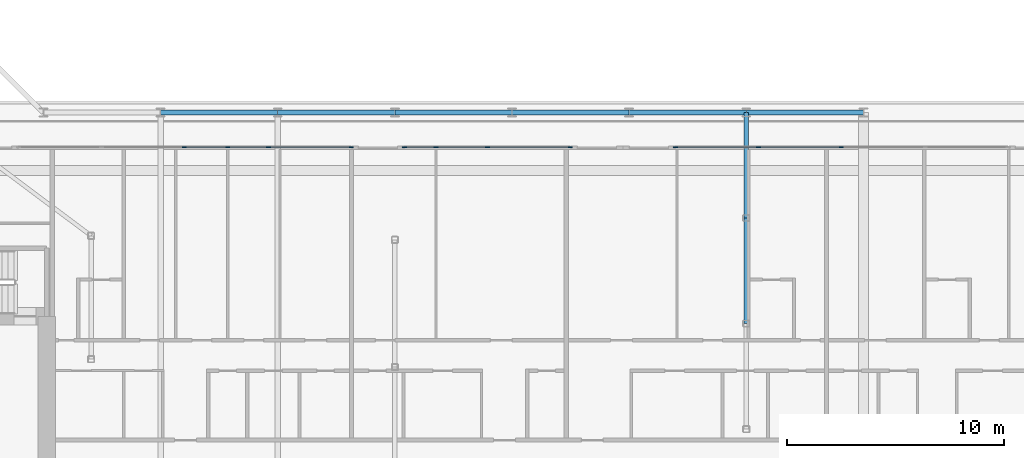
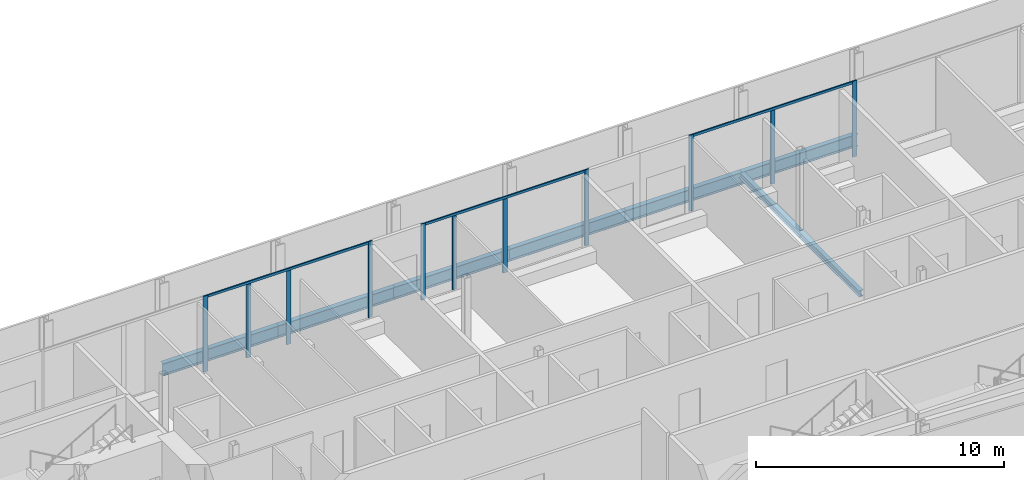
# One storey, part 8 of 30: 14 members, 8 beams, 4 elements without a shape of their own.
"""IFC4 building model written with IfcOpenShell, lengths in metres."""

import ifcopenshell
import ifcopenshell.guid

model = None  # the IFC model being written
_history = None  # IfcOwnerHistory: only IFC2X3 demands one
_inside = {}  # id of a spatial element -> (the spatial element, [elements in it])
_under = {}  # id of a project, library or spatial element -> (it, [spatial elements below it])
_declared = {}  # id of a project -> (the project, [libraries it declares])
_typed = {}  # id of a type object -> (the type object, [elements of that type])
_made_of = {}  # id of a material, layer set ... -> (it, [elements and type objects made of it])


def new_model(schema):
    """Start an empty IFC model of exactly this schema.

    Asked for "IFC4X3", IfcOpenShell would pick the latest addendum, in which some entities
    have other attributes; the version numbers below select the first issue.
    IFC2X3 requires an IfcOwnerHistory on every rooted entity: one is made here for all.
    """
    global model, _history
    if schema == "IFC4X3":
        model = ifcopenshell.file(schema_version=(4, 3, 0, 0))
    else:
        model = ifcopenshell.file(schema=schema)
    _inside.clear()
    _under.clear()
    _declared.clear()
    _typed.clear()
    _made_of.clear()
    _history = None
    if model.schema == "IFC2X3":
        org = make("IfcOrganization", Name="unknown")
        user = make(
            "IfcPersonAndOrganization",
            ThePerson=make("IfcPerson", FamilyName="unknown"),
            TheOrganization=org,
        )
        app = make(
            "IfcApplication",
            ApplicationDeveloper=org,
            Version="unknown",
            ApplicationFullName="unknown",
            ApplicationIdentifier="unknown",
        )
        _history = make(
            "IfcOwnerHistory",
            OwningUser=user,
            OwningApplication=app,
            ChangeAction="ADDED",
            CreationDate=0,
        )
    return model


def make(cls, **values):
    """One entity of the class cls with the attributes given. An attribute that is None is left unset."""
    return model.create_entity(
        cls, **{name: value for name, value in values.items() if value is not None}
    )


def rooted(cls, **values):
    """An entity with a GlobalId (a new one), such as an element, a storey or a relation."""
    return make(cls, GlobalId=ifcopenshell.guid.new(), OwnerHistory=_history, **values)


def si_unit(unit_type, name, prefix=None):
    """IfcSIUnit, for example si_unit("LENGTHUNIT", "METRE", prefix="MILLI")."""
    return make("IfcSIUnit", UnitType=unit_type, Prefix=prefix, Name=name)


def assignment(units):
    """IfcUnitAssignment: the units of a project."""
    return None if units is None else make("IfcUnitAssignment", Units=units)


def point(xyz):
    """IfcCartesianPoint."""
    return None if xyz is None else make("IfcCartesianPoint", Coordinates=xyz)


def direction(xyz):
    """IfcDirection."""
    return None if xyz is None else make("IfcDirection", DirectionRatios=xyz)


def frame(location, z_axis=None, x_axis=None):
    """IfcAxis2Placement3D, a coordinate frame: its origin and axes. An axis left out is left unset."""
    return make(
        "IfcAxis2Placement3D",
        Location=point(location),
        Axis=direction(z_axis),
        RefDirection=direction(x_axis),
    )


def frame_2d(location, x_axis=None):
    """IfcAxis2Placement2D, a coordinate frame in the plane: its origin and x axis."""
    return make(
        "IfcAxis2Placement2D", Location=point(location), RefDirection=direction(x_axis)
    )


def origin():
    """The frame at (0, 0, 0) with its axes left unset."""
    return frame((0.0, 0.0, 0.0))


def origin_2d():
    """The frame at (0, 0) in the plane with its x axis left unset."""
    return frame_2d((0.0, 0.0))


def place(relative_to, where):
    """IfcLocalPlacement: puts the frame where relative to a parent placement (None: the world)."""
    return make(
        "IfcLocalPlacement", PlacementRelTo=relative_to, RelativePlacement=where
    )


def context(
    kind, dimensions, precision=None, world=None, true_north=None, identifier=None
):
    """IfcGeometricRepresentationContext, for example the 3D "Model" context."""
    return make(
        "IfcGeometricRepresentationContext",
        ContextIdentifier=identifier,
        ContextType=kind,
        CoordinateSpaceDimension=dimensions,
        Precision=precision,
        WorldCoordinateSystem=world,
        TrueNorth=true_north,
    )


def subcontext(parent, identifier, kind, view, scale=None):
    """IfcGeometricRepresentationSubContext, for example "Body" below "Model"."""
    return make(
        "IfcGeometricRepresentationSubContext",
        ContextIdentifier=identifier,
        ContextType=kind,
        ParentContext=parent,
        TargetScale=scale,
        TargetView=view,
    )


def project(units=None, contexts=None):
    """IfcProject with its units and contexts."""
    return rooted(
        "IfcProject",
        Name="project",
        RepresentationContexts=contexts,
        UnitsInContext=assignment(units),
    )


def spatial(cls, under=None, at=None, **own):
    """A site, building, storey or space (cls), placed at a placement, below another one or the project."""
    s = rooted(cls, ObjectPlacement=at, **own)
    if under is not None:
        _under.setdefault(under.id(), (under, []))[1].append(s)
    return s


def profile(cls, at=None, kind="AREA", **sizes):
    """A parametric profile (cls). Its sizes go by their IFC names, for example OverallWidth=200.0."""
    return make(cls, ProfileType=kind, Position=at, **sizes)


def rectangle(**sizes):
    """IfcRectangleProfileDef."""
    return profile("IfcRectangleProfileDef", **sizes)


def i_section(**sizes):
    """IfcIShapeProfileDef."""
    return profile("IfcIShapeProfileDef", **sizes)


def extrude(swept, where, along, depth):
    """IfcExtrudedAreaSolid: the profile swept, set in the frame where, extruded along a direction by depth."""
    return make(
        "IfcExtrudedAreaSolid",
        SweptArea=swept,
        Position=where,
        ExtrudedDirection=direction(along),
        Depth=depth,
    )


def shape(context_of_items, identifier, shape_type, items):
    """IfcShapeRepresentation: the items that make up one representation, for example the "Body"."""
    return make(
        "IfcShapeRepresentation",
        ContextOfItems=context_of_items,
        RepresentationIdentifier=identifier,
        RepresentationType=shape_type,
        Items=items,
    )


def material(Name=None, Category=None):
    """IfcMaterial."""
    return make("IfcMaterial", Name=Name, Category=Category)


def layer(
    of_material, thickness, ventilated=None, Name=None, Category=None, Priority=None
):
    """IfcMaterialLayer: one layer of a wall or slab, of a material (None: an air gap)."""
    return make(
        "IfcMaterialLayer",
        Material=of_material,
        LayerThickness=thickness,
        IsVentilated=ventilated,
        Name=Name,
        Category=Category,
        Priority=Priority,
    )


def layer_set(layers, Name=None):
    """IfcMaterialLayerSet."""
    return make("IfcMaterialLayerSet", MaterialLayers=layers, LayerSetName=Name)


def material_profile(
    of_material, cross_section, Name=None, Category=None, Priority=None
):
    """IfcMaterialProfile: a cross section and its material."""
    return make(
        "IfcMaterialProfile",
        Name=Name,
        Material=of_material,
        Profile=cross_section,
        Priority=Priority,
        Category=Category,
    )


def profile_set(profiles, Name=None, composite=None):
    """IfcMaterialProfileSet."""
    return make(
        "IfcMaterialProfileSet",
        Name=Name,
        MaterialProfiles=profiles,
        CompositeProfile=composite,
    )


def made_of(thing, what):
    """Note that an element or type object is made of a material, layer set ...; save() writes the relation."""
    if what is not None:
        _made_of.setdefault(what.id(), (what, []))[1].append(thing)
    return thing


def type_object(cls, material=None, **own):
    """A type object (cls), such as IfcWallType, which elements share."""
    return made_of(rooted(cls, **own), material)


def element(
    cls,
    number,
    at=None,
    inside=None,
    cuts=None,
    type_object=None,
    material=None,
    context=None,
    identifier="Body",
    shape_type=None,
    held_by="IfcProductDefinitionShape",
    body=None,
    shapes=None,
    **own,
):
    """One element of the class cls, such as IfcWall. Its Tag is "e" and its number.

    at: its placement. inside: the storey or other place that contains it. cuts: it is an
    opening in that element (IfcRelVoidsElement). A single representation is given by context,
    identifier, shape_type and body (its items); several are given by shapes. held_by: the class
    of the entity that holds the representations. save() writes the other relations.
    """
    e = rooted(cls, Tag="e%d" % number, ObjectPlacement=at, **own)
    if body is not None:
        shapes = [shape(context, identifier, shape_type, body)]
    if shapes is not None:
        e.Representation = make(held_by, Representations=shapes)
    if inside is not None:
        _inside.setdefault(inside.id(), (inside, []))[1].append(e)
    if cuts is not None:
        rooted(
            "IfcRelVoidsElement", RelatingBuildingElement=cuts, RelatedOpeningElement=e
        )
    if type_object is not None:
        _typed.setdefault(type_object.id(), (type_object, []))[1].append(e)
    return made_of(e, material)


def aggregate(whole, parts):
    """IfcRelAggregates: a whole, such as a stair, and the parts it consists of."""
    return rooted("IfcRelAggregates", RelatingObject=whole, RelatedObjects=parts)


def save(model, path):
    """Write the relations noted so far, then the file.

    IfcRelAggregates (storeys below a building ...), IfcRelContainedInSpatialStructure (elements
    in a storey), IfcRelDefinesByType, IfcRelAssociatesMaterial and IfcRelDeclares: one each for
    every whole, place, type object, material and project.
    """
    for whole, parts in _under.values():
        aggregate(whole, parts)
    for where, things in _inside.values():
        rooted(
            "IfcRelContainedInSpatialStructure",
            RelatedElements=things,
            RelatingStructure=where,
        )
    for kind, things in _typed.values():
        rooted("IfcRelDefinesByType", RelatedObjects=things, RelatingType=kind)
    for what, things in _made_of.values():
        rooted("IfcRelAssociatesMaterial", RelatedObjects=things, RelatingMaterial=what)
    for by, libraries in _declared.values():
        rooted("IfcRelDeclares", RelatingContext=by, RelatedDefinitions=libraries)
    model.write(path)


model = new_model("IFC4")

# Units and contexts
model_context = context("Model", 3, precision=1e-05, world=origin(), true_north=direction((0.0, 1.0)))
body_context = subcontext(model_context, "Body", "Model", "MODEL_VIEW")
ifc_project = project(units=[si_unit("LENGTHUNIT", "METRE"), si_unit("AREAUNIT", "SQUARE_METRE"), si_unit("VOLUMEUNIT", "CUBIC_METRE"), si_unit("PLANEANGLEUNIT", "RADIAN"), si_unit("MASSUNIT", "GRAM", prefix="KILO")], contexts=[model_context])

# Site, building, storey
site_placement = place(None, origin())
site = spatial("IfcSite", under=ifc_project, at=site_placement, CompositionType="ELEMENT")
building_placement = place(site_placement, origin())
building = spatial("IfcBuilding", under=site, at=building_placement, Name="Kheshtan School and Residences Tower", CompositionType="ELEMENT")
storey_placement = place(building_placement, frame((0.0, 0.0, 195.5)))
storey = spatial("IfcBuildingStorey", under=building, at=storey_placement, Name="L46", CompositionType="ELEMENT", Elevation=195.5)

# Beams
ifc_material_1 = material(Name="Steel ASTM A992 Grade 50", Category="steel")
ifc_material_profile_1 = material_profile(ifc_material_1, i_section(OverallWidth=0.202880859375, OverallDepth=0.302978515625, WebThickness=0.007568359375, FlangeThickness=0.01318359375, FilletRadius=0.009033203125, at=origin_2d()), Name="W310x60")
ifc_profile_set_1 = profile_set([ifc_material_profile_1], Name="Steel ASTM A992 Grade 50")
beam_type_1 = type_object("IfcBeamType", Name="Beam FB1 W310x60 ASTM A992 Grade 50", PredefinedType="BEAM", material=ifc_profile_set_1)
for number, where, z_axis, x_axis, name in (
    (1, (85.39990234375, 45.60009765625, -0.301513671875), (0.0, -1.0, 0.0), (1.0, 0.0, 0.0), "Floor beam C067"),
    (2, (85.39990234375, 40.735107421875, -0.301513671875), (0.0, -1.0, 0.0), (1.0, 0.0, 0.0), "Floor beam IC"),
):
    element("IfcBeam", number, at=place(storey_placement, frame(where, z_axis=z_axis, x_axis=x_axis)), inside=storey, type_object=beam_type_1, Name=name, PredefinedType="BEAM", context=body_context, shape_type="SweptSolid", body=[
        extrude(i_section(OverallWidth=0.202880859375, OverallDepth=0.302978515625, WebThickness=0.007568359375, FlangeThickness=0.01318359375, FilletRadius=0.009033203125, at=origin_2d()), origin(), (0.0, 0.0, 1.0), 4.864990234375),
    ])
ifc_material_profile_2 = material_profile(ifc_material_1, i_section(OverallWidth=0.22802734375, OverallDepth=0.60302734375, WebThickness=0.010498046875, FlangeThickness=0.014892578125, FilletRadius=0.013427734375, at=origin_2d()), Name="W610x101")
ifc_profile_set_2 = profile_set([ifc_material_profile_2], Name="Steel ASTM A992 Grade 50")
beam_type_2 = type_object("IfcBeamType", Name="Beam SP2 W610x101 ASTM A992 Grade 50", PredefinedType="BEAM", material=ifc_profile_set_2)
beam_1_placement = place(storey_placement, frame((58.39990234375, 45.60009765625, -0.451416015625), z_axis=(1.0, 0.0, 0.0), x_axis=(0.0, 1.0, 0.0)))
element("IfcBeam", 3, at=beam_1_placement, inside=storey, type_object=beam_type_2, Name="Spandrel beam C062-C063", PredefinedType="BEAM", context=body_context, shape_type="SweptSolid", body=[
    extrude(i_section(OverallWidth=0.22802734375, OverallDepth=0.60302734375, WebThickness=0.010498046875, FlangeThickness=0.014892578125, FilletRadius=0.013427734375, at=origin_2d()), origin(), (0.0, 0.0, 1.0), 5.400146484375),
])
beam_2_placement = place(storey_placement, frame((63.800048828125, 45.60009765625, -0.451416015625), z_axis=(1.0, 0.0, 0.0), x_axis=(0.0, 1.0, 0.0)))
element("IfcBeam", 4, at=beam_2_placement, inside=storey, type_object=beam_type_2, Name="Spandrel beam C063-C064", PredefinedType="BEAM", context=body_context, shape_type="SweptSolid", body=[
    extrude(i_section(OverallWidth=0.22802734375, OverallDepth=0.60302734375, WebThickness=0.010498046875, FlangeThickness=0.014892578125, FilletRadius=0.013427734375, at=origin_2d()), origin(), (0.0, 0.0, 1.0), 5.39990234375),
])
beam_3_placement = place(storey_placement, frame((69.199951171875, 45.60009765625, -0.451416015625), z_axis=(1.0, 0.0, 0.0), x_axis=(0.0, 1.0, 0.0)))
element("IfcBeam", 5, at=beam_3_placement, inside=storey, type_object=beam_type_2, Name="Spandrel beam C064-C065", PredefinedType="BEAM", context=body_context, shape_type="SweptSolid", body=[
    extrude(i_section(OverallWidth=0.22802734375, OverallDepth=0.60302734375, WebThickness=0.010498046875, FlangeThickness=0.014892578125, FilletRadius=0.013427734375, at=origin_2d()), origin(), (0.0, 0.0, 1.0), 5.400146484375),
])
for number, where, z_axis, x_axis, name in (
    (6, (74.60009765625, 45.60009765625, -0.451416015625), (1.0, 0.0, 0.0), (0.0, 1.0, 0.0), "Spandrel beam C065-C066"),
    (7, (80.0, 45.60009765625, -0.451416015625), (1.0, 0.0, 0.0), (0.0, 1.0, 0.0), "Spandrel beam C066-C067"),
):
    element("IfcBeam", number, at=place(storey_placement, frame(where, z_axis=z_axis, x_axis=x_axis)), inside=storey, type_object=beam_type_2, Name=name, PredefinedType="BEAM", context=body_context, shape_type="SweptSolid", body=[
        extrude(i_section(OverallWidth=0.22802734375, OverallDepth=0.60302734375, WebThickness=0.010498046875, FlangeThickness=0.014892578125, FilletRadius=0.013427734375, at=origin_2d()), origin(), (0.0, 0.0, 1.0), 5.39990234375),
    ])
beam_4_placement = place(storey_placement, frame((85.39990234375, 45.60009765625, -0.451416015625), z_axis=(1.0, 0.0, 0.0), x_axis=(0.0, 1.0, 0.0)))
element("IfcBeam", 8, at=beam_4_placement, inside=storey, type_object=beam_type_2, Name="Spandrel beam C067-C068", PredefinedType="BEAM", context=body_context, shape_type="SweptSolid", body=[
    extrude(i_section(OverallWidth=0.22802734375, OverallDepth=0.60302734375, WebThickness=0.010498046875, FlangeThickness=0.014892578125, FilletRadius=0.013427734375, at=origin_2d()), origin(), (0.0, 0.0, 1.0), 5.400146484375),
])

# Curtain wall, member
ifc_material_2 = material(Name="Clear low-e glass in thermally broken aluminium frame", Category="aluminium")
ifc_layer = layer(ifc_material_2, 0.199951171875)
ifc_layer_set = layer_set([ifc_layer], Name="Curtain wall CW-L")
curtain_wall_type = type_object("IfcCurtainWallType", Name="Curtain wall CW-L", PredefinedType="NOTDEFINED", material=ifc_layer_set)
curtain_wall_1_placement = place(storey_placement, origin())
curtain_wall_1 = element("IfcCurtainWall", 9, at=curtain_wall_1_placement, inside=storey, type_object=curtain_wall_type, Name="Curtain wall CWL12j", PredefinedType="NOTDEFINED")
ifc_material_3 = material(Name="Thermally broken aluminium, dark bronze anodised", Category="aluminium")
ifc_material_profile_3 = material_profile(ifc_material_3, rectangle(XDim=0.06005859375, YDim=0.199951171875, at=origin_2d()), Name="CW-L mullion 60x200")
ifc_profile_set_3 = profile_set([ifc_material_profile_3], Name="Thermally broken aluminium, dark bronze anodised")
member_type_1 = type_object("IfcMemberType", Name="CW-L mullion 60x200", PredefinedType="MULLION", material=ifc_profile_set_3)
member_1_placement = place(storey_placement, frame((59.493896484375, 44.0, 0.0), z_axis=(0.0, 0.0, 1.0), x_axis=(0.0, 1.0, 0.0)))
member_1 = element("IfcMember", 10, at=member_1_placement, type_object=member_type_1, Name="CWL12j mullion 3", PredefinedType="MULLION", context=body_context, shape_type="SweptSolid", body=[
    extrude(rectangle(XDim=0.06005859375, YDim=0.199951171875, at=origin_2d()), origin(), (0.0, 0.0, 1.0), 3.75),
])
aggregate(curtain_wall_1, [member_1])

# Curtain wall, members
curtain_wall_2_placement = place(storey_placement, origin())
curtain_wall_2 = element("IfcCurtainWall", 11, at=curtain_wall_2_placement, inside=storey, type_object=curtain_wall_type, Name="Curtain wall CWL12k", PredefinedType="NOTDEFINED")
member_2_placement = place(storey_placement, frame((61.5, 44.0, 0.0), z_axis=(0.0, 0.0, 1.0), x_axis=(0.0, 1.0, 0.0)))
member_2 = element("IfcMember", 12, at=member_2_placement, type_object=member_type_1, Name="CWL12k mullion 2", PredefinedType="MULLION", context=body_context, shape_type="SweptSolid", body=[
    extrude(rectangle(XDim=0.06005859375, YDim=0.199951171875, at=origin_2d()), origin(), (0.0, 0.0, 1.0), 3.6298828125),
])
member_3_placement = place(storey_placement, frame((63.37109375, 44.0, 0.0), z_axis=(0.0, 0.0, 1.0), x_axis=(0.0, 1.0, 0.0)))
member_3 = element("IfcMember", 13, at=member_3_placement, type_object=member_type_1, Name="CWL12k mullion 3", PredefinedType="MULLION", context=body_context, shape_type="SweptSolid", body=[
    extrude(rectangle(XDim=0.06005859375, YDim=0.199951171875, at=origin_2d()), origin(), (0.0, 0.0, 1.0), 3.6298828125),
])
member_4_placement = place(storey_placement, frame((67.18798828125, 44.0, 0.0), z_axis=(0.0, 0.0, 1.0), x_axis=(0.0, 1.0, 0.0)))
member_4 = element("IfcMember", 14, at=member_4_placement, type_object=member_type_1, Name="CWL12k mullion 4", PredefinedType="MULLION", context=body_context, shape_type="SweptSolid", body=[
    extrude(rectangle(XDim=0.06005859375, YDim=0.199951171875, at=origin_2d()), origin(), (0.0, 0.0, 1.0), 3.75),
])

curtain_wall_3_placement = place(storey_placement, origin())
curtain_wall_3 = element("IfcCurtainWall", 15, at=curtain_wall_3_placement, inside=storey, type_object=curtain_wall_type, Name="Curtain wall CWL12k", PredefinedType="NOTDEFINED")
member_5_placement = place(storey_placement, frame((69.64794921875, 44.0, 0.0), z_axis=(0.0, 0.0, 1.0), x_axis=(0.0, 1.0, 0.0)))
member_5 = element("IfcMember", 16, at=member_5_placement, type_object=member_type_1, Name="CWL12k mullion 1", PredefinedType="MULLION", context=body_context, shape_type="SweptSolid", body=[
    extrude(rectangle(XDim=0.06005859375, YDim=0.199951171875, at=origin_2d()), origin(), (0.0, 0.0, 1.0), 3.75),
])
member_6_placement = place(storey_placement, frame((71.10009765625, 44.0, 0.0), z_axis=(0.0, 0.0, 1.0), x_axis=(0.0, 1.0, 0.0)))
member_6 = element("IfcMember", 17, at=member_6_placement, type_object=member_type_1, Name="CWL12k mullion 2", PredefinedType="MULLION", context=body_context, shape_type="SweptSolid", body=[
    extrude(rectangle(XDim=0.06005859375, YDim=0.199951171875, at=origin_2d()), origin(), (0.0, 0.0, 1.0), 3.6298828125),
])
member_7_placement = place(storey_placement, frame((73.465087890625, 44.0, 0.0), z_axis=(0.0, 0.0, 1.0), x_axis=(0.0, 1.0, 0.0)))
member_7 = element("IfcMember", 18, at=member_7_placement, type_object=member_type_1, Name="CWL12k mullion 3", PredefinedType="MULLION", context=body_context, shape_type="SweptSolid", body=[
    extrude(rectangle(XDim=0.06005859375, YDim=0.199951171875, at=origin_2d()), origin(), (0.0, 0.0, 1.0), 3.6298828125),
])
member_8_placement = place(storey_placement, frame((77.281982421875, 44.0, 0.0), z_axis=(0.0, 0.0, 1.0), x_axis=(0.0, 1.0, 0.0)))
member_8 = element("IfcMember", 19, at=member_8_placement, type_object=member_type_1, Name="CWL12k mullion 4", PredefinedType="MULLION", context=body_context, shape_type="SweptSolid", body=[
    extrude(rectangle(XDim=0.06005859375, YDim=0.199951171875, at=origin_2d()), origin(), (0.0, 0.0, 1.0), 3.75),
])

curtain_wall_4_placement = place(storey_placement, origin())
curtain_wall_4 = element("IfcCurtainWall", 20, at=curtain_wall_4_placement, inside=storey, type_object=curtain_wall_type, Name="Curtain wall CWL12j", PredefinedType="NOTDEFINED")
member_9_placement = place(storey_placement, frame((82.14208984375, 44.0, 0.0), z_axis=(0.0, 0.0, 1.0), x_axis=(0.0, 1.0, 0.0)))
member_9 = element("IfcMember", 21, at=member_9_placement, type_object=member_type_1, Name="CWL12j mullion 1", PredefinedType="MULLION", context=body_context, shape_type="SweptSolid", body=[
    extrude(rectangle(XDim=0.06005859375, YDim=0.199951171875, at=origin_2d()), origin(), (0.0, 0.0, 1.0), 3.75),
])
member_10_placement = place(storey_placement, frame((85.958984375, 44.0, 0.0), z_axis=(0.0, 0.0, 1.0), x_axis=(0.0, 1.0, 0.0)))
member_10 = element("IfcMember", 22, at=member_10_placement, type_object=member_type_1, Name="CWL12j mullion 2", PredefinedType="MULLION", context=body_context, shape_type="SweptSolid", body=[
    extrude(rectangle(XDim=0.06005859375, YDim=0.199951171875, at=origin_2d()), origin(), (0.0, 0.0, 1.0), 3.6298828125),
])
member_11_placement = place(storey_placement, frame((89.77587890625, 44.0, 0.0), z_axis=(0.0, 0.0, 1.0), x_axis=(0.0, 1.0, 0.0)))
member_11 = element("IfcMember", 23, at=member_11_placement, type_object=member_type_1, Name="CWL12j mullion 3", PredefinedType="MULLION", context=body_context, shape_type="SweptSolid", body=[
    extrude(rectangle(XDim=0.06005859375, YDim=0.199951171875, at=origin_2d()), origin(), (0.0, 0.0, 1.0), 3.75),
])

# Member
ifc_material_profile_4 = material_profile(ifc_material_3, rectangle(XDim=0.06005859375, YDim=0.1201171875, at=origin_2d()), Name="CW-L transom 60x120")
ifc_profile_set_4 = profile_set([ifc_material_profile_4], Name="Thermally broken aluminium, dark bronze anodised")
member_type_2 = type_object("IfcMemberType", Name="CW-L transom 60x120", PredefinedType="USERDEFINED", material=ifc_profile_set_4)
member_12_placement = place(storey_placement, frame((59.52392578125, 44.0, 3.68994140625), z_axis=(1.0, 0.0, 0.0), x_axis=(0.0, 1.0, 0.0)))
member_12 = element("IfcMember", 24, at=member_12_placement, type_object=member_type_2, Name="CWL12k transom 1", ObjectType="TRANSOM", PredefinedType="USERDEFINED", context=body_context, shape_type="SweptSolid", body=[
    extrude(rectangle(XDim=0.06005859375, YDim=0.1201171875, at=origin_2d()), origin(), (0.0, 0.0, 1.0), 7.634033203125),
])

aggregate(curtain_wall_2, [member_2, member_3, member_4, member_12])

member_13_placement = place(storey_placement, frame((69.677978515625, 44.0, 3.68994140625), z_axis=(1.0, 0.0, 0.0), x_axis=(0.0, 1.0, 0.0)))
member_13 = element("IfcMember", 25, at=member_13_placement, type_object=member_type_2, Name="CWL12k transom 1", ObjectType="TRANSOM", PredefinedType="USERDEFINED", context=body_context, shape_type="SweptSolid", body=[
    extrude(rectangle(XDim=0.06005859375, YDim=0.1201171875, at=origin_2d()), origin(), (0.0, 0.0, 1.0), 7.573974609375),
])

aggregate(curtain_wall_3, [member_5, member_6, member_7, member_8, member_13])

member_14_placement = place(storey_placement, frame((82.172119140625, 44.0, 3.68994140625), z_axis=(1.0, 0.0, 0.0), x_axis=(0.0, 1.0, 0.0)))
member_14 = element("IfcMember", 26, at=member_14_placement, type_object=member_type_2, Name="CWL12j transom 1", ObjectType="TRANSOM", PredefinedType="USERDEFINED", context=body_context, shape_type="SweptSolid", body=[
    extrude(rectangle(XDim=0.06005859375, YDim=0.1201171875, at=origin_2d()), origin(), (0.0, 0.0, 1.0), 7.573974609375),
])

aggregate(curtain_wall_4, [member_9, member_10, member_11, member_14])

save(model, "model.ifc")
